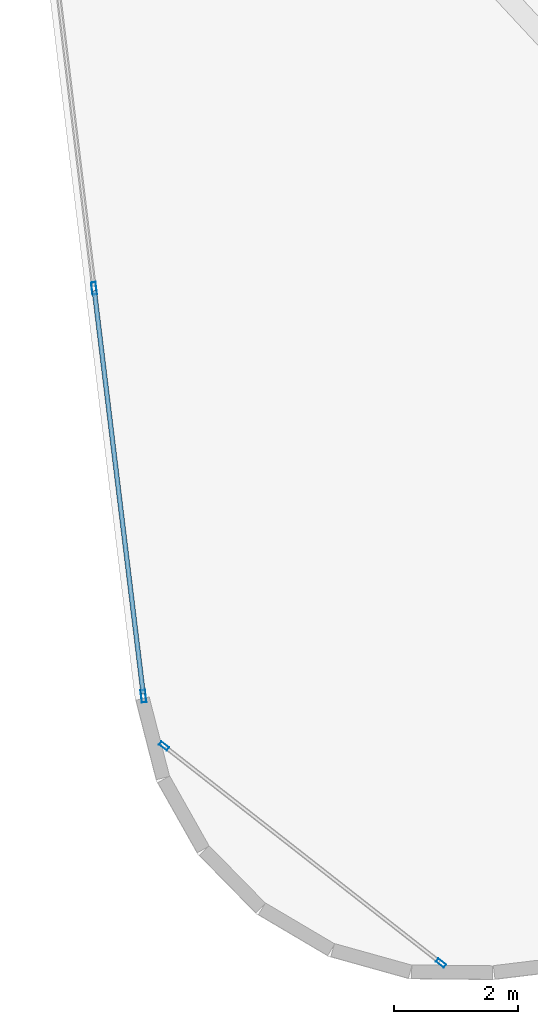
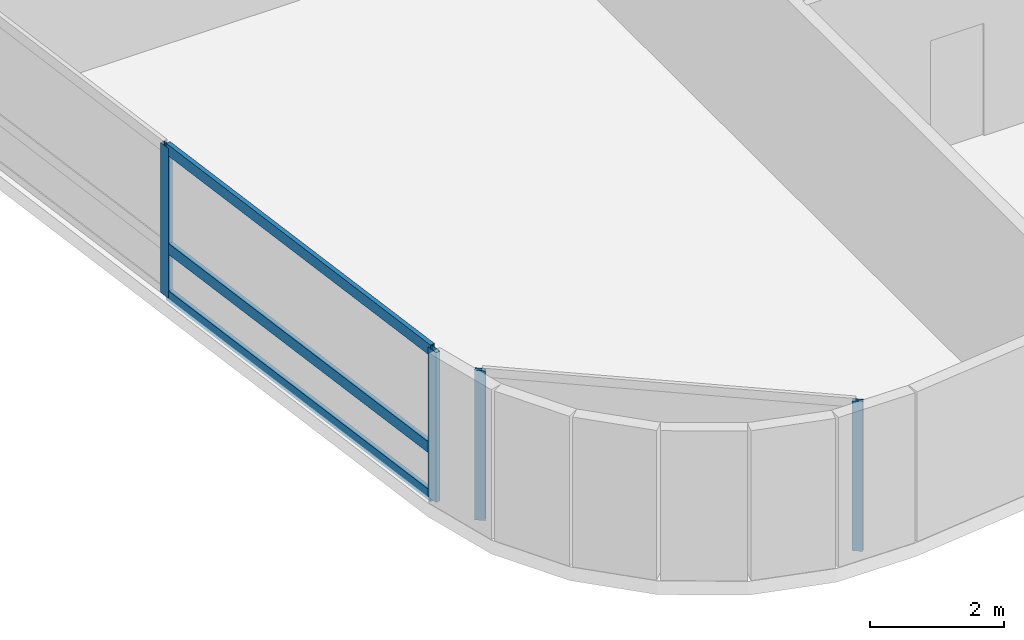
# One storey, part 2 of 24: 7 members, 2 elements without a shape of their own.
"""IFC4 building model written with IfcOpenShell, lengths in metres."""

from ifc_helpers import new_model, si_unit, direction, frame, origin, origin_2d, place, context, subcontext, project, spatial, hollow_rectangle, extrude, material, layer, layer_set, material_profile, profile_set, type_object, element, aggregate, save


model = new_model("IFC4")

# Units and contexts
model_context = context("Model", 3, precision=1e-05, world=origin(), true_north=direction((0.0, 1.0)))
body_context = subcontext(model_context, "Body", "Model", "MODEL_VIEW")
ifc_project = project(units=[si_unit("LENGTHUNIT", "METRE"), si_unit("AREAUNIT", "SQUARE_METRE"), si_unit("VOLUMEUNIT", "CUBIC_METRE"), si_unit("PLANEANGLEUNIT", "RADIAN"), si_unit("MASSUNIT", "GRAM", prefix="KILO")], contexts=[model_context])

# Site, building, storey
site_placement = place(None, origin())
site = spatial("IfcSite", under=ifc_project, at=site_placement, CompositionType="ELEMENT")
building_placement = place(site_placement, origin())
building = spatial("IfcBuilding", under=site, at=building_placement, Name="Varnelok Gate Tower", CompositionType="ELEMENT")
storey_placement = place(building_placement, frame((0.0, 0.0, 196.800048828125)))
storey = spatial("IfcBuildingStorey", under=building, at=storey_placement, Name="L50", CompositionType="ELEMENT", Elevation=196.800048828125)

# Curtain wall, members
ifc_material = material(Name="Anodized Aluminum Alloy 6063-T6", Category="aluminium")
ifc_layer_1 = layer(ifc_material, 0.179931640625)
ifc_layer_set_1 = layer_set([ifc_layer_1], Name="Anodized Aluminum Alloy 6063-T6")
curtain_wall_type_1 = type_object("IfcCurtainWallType", Name="CW5-WINDCORNER-GLAZ", PredefinedType="USERDEFINED", material=ifc_layer_set_1)
curtain_wall_1_placement = place(storey_placement, origin())
curtain_wall_1 = element("IfcCurtainWall", 1, at=curtain_wall_1_placement, inside=storey, type_object=curtain_wall_type_1, Name="L50 Wind-Shaped Corner Curtain Wall SW", ObjectType="STRUCTURAL GLAZING", PredefinedType="USERDEFINED")
ifc_material_profile_1 = material_profile(ifc_material, hollow_rectangle(XDim=0.06494140625, YDim=0.159912109375, WallThickness=0.00390625, at=origin_2d()), Name="ALU160X65X4")
ifc_profile_set_1 = profile_set([ifc_material_profile_1], Name="Anodized Aluminum Alloy 6063-T6")
member_type_1 = type_object("IfcMemberType", Name="CW-MULL-160", PredefinedType="MULLION", material=ifc_profile_set_1)
member_1_placement = place(storey_placement, frame((6.63330078125, 3.720947265625, 0.0), z_axis=(0.0, 0.0, 1.0), x_axis=(0.616862756615, 0.787070733481, 0.0)))
member_1 = element("IfcMember", 2, at=member_1_placement, type_object=member_type_1, Name="CW5 mullion 1", PredefinedType="MULLION", context=body_context, shape_type="SweptSolid", body=[
    extrude(hollow_rectangle(XDim=0.06494140625, YDim=0.159912109375, WallThickness=0.00390625, at=origin_2d()), origin(), (0.0, 0.0, 1.0), 2.72998046875),
])
member_2_placement = place(storey_placement, frame((11.1123046875, 0.21044921875, 0.0), z_axis=(0.0, 0.0, 1.0), x_axis=(0.616862756615, 0.787070733481, 0.0)))
member_2 = element("IfcMember", 3, at=member_2_placement, type_object=member_type_1, Name="CW5 mullion 2", PredefinedType="MULLION", context=body_context, shape_type="SweptSolid", body=[
    extrude(hollow_rectangle(XDim=0.06494140625, YDim=0.159912109375, WallThickness=0.00390625, at=origin_2d()), origin(), (0.0, 0.0, 1.0), 2.72998046875),
])
aggregate(curtain_wall_1, [member_1, member_2])

ifc_layer_2 = layer(ifc_material, 0.179931640625)
ifc_layer_set_2 = layer_set([ifc_layer_2], Name="Anodized Aluminum Alloy 6063-T6")
curtain_wall_type_2 = type_object("IfcCurtainWallType", Name="CW4-RESIDENCE-VISION", PredefinedType="USERDEFINED", material=ifc_layer_set_2)
curtain_wall_2_placement = place(storey_placement, origin())
curtain_wall_2 = element("IfcCurtainWall", 4, at=curtain_wall_2_placement, inside=storey, type_object=curtain_wall_type_2, Name="L50 West End Vision Curtain Wall", ObjectType="UNITISED CURTAIN WALL", PredefinedType="USERDEFINED")
ifc_material_profile_2 = material_profile(ifc_material, hollow_rectangle(XDim=0.074951171875, YDim=0.199951171875, WallThickness=0.00390625, at=origin_2d()), Name="ALU200X75X4")
ifc_profile_set_2 = profile_set([ifc_material_profile_2], Name="Anodized Aluminum Alloy 6063-T6")
member_type_2 = type_object("IfcMemberType", Name="CW-MULL-200", PredefinedType="MULLION", material=ifc_profile_set_2)
member_3_placement = place(storey_placement, frame((6.30078125, 4.52734375, 0.0), z_axis=(0.0, 0.0, 1.0), x_axis=(-0.992732188751, -0.120344511371, 0.0)))
member_3 = element("IfcMember", 5, at=member_3_placement, type_object=member_type_2, Name="CW4 mullion 1", PredefinedType="MULLION", context=body_context, shape_type="SweptSolid", body=[
    extrude(hollow_rectangle(XDim=0.074951171875, YDim=0.199951171875, WallThickness=0.00390625, at=origin_2d()), origin(), (0.0, 0.0, 1.0), 2.72998046875),
])
member_4_placement = place(storey_placement, frame((5.50146484375, 11.12158203125, 0.0), z_axis=(0.0, 0.0, 1.0), x_axis=(-0.992732188751, -0.120344511371, 0.0)))
member_4 = element("IfcMember", 6, at=member_4_placement, type_object=member_type_2, Name="CW4 mullion 2", PredefinedType="MULLION", context=body_context, shape_type="SweptSolid", body=[
    extrude(hollow_rectangle(XDim=0.074951171875, YDim=0.199951171875, WallThickness=0.00390625, at=origin_2d()), origin(), (0.0, 0.0, 1.0), 2.72998046875),
])
ifc_material_profile_3 = material_profile(ifc_material, hollow_rectangle(XDim=0.074951171875, YDim=0.199951171875, WallThickness=0.00390625, at=origin_2d()), Name="ALU200X75X4")
ifc_profile_set_3 = profile_set([ifc_material_profile_3], Name="Anodized Aluminum Alloy 6063-T6")
member_type_3 = type_object("IfcMemberType", Name="CW-TRAN-200", PredefinedType="USERDEFINED", material=ifc_profile_set_3)
member_5_placement = place(storey_placement, frame((6.29638671875, 4.564453125, 0.037353515625), z_axis=(-0.120369113246, 0.992729206066, 0.0), x_axis=(-0.992729206066, -0.120369113246, 0.0)))
member_5 = element("IfcMember", 7, at=member_5_placement, type_object=member_type_3, Name="CW4 transom 1.1", ObjectType="TRANSOM", PredefinedType="USERDEFINED", context=body_context, shape_type="SweptSolid", body=[
    extrude(hollow_rectangle(XDim=0.074951171875, YDim=0.199951171875, WallThickness=0.00390625, at=origin_2d()), origin(), (0.0, 0.0, 1.0), 6.567626953125),
])
member_6_placement = place(storey_placement, frame((6.29638671875, 4.564453125, 0.89990234375), z_axis=(-0.120369113246, 0.992729206066, 0.0), x_axis=(-0.992729206066, -0.120369113246, 0.0)))
member_6 = element("IfcMember", 8, at=member_6_placement, type_object=member_type_3, Name="CW4 transom 1.2", ObjectType="TRANSOM", PredefinedType="USERDEFINED", context=body_context, shape_type="SweptSolid", body=[
    extrude(hollow_rectangle(XDim=0.074951171875, YDim=0.199951171875, WallThickness=0.00390625, at=origin_2d()), origin(), (0.0, 0.0, 1.0), 6.567626953125),
])
member_7_placement = place(storey_placement, frame((6.29638671875, 4.564453125, 2.6923828125), z_axis=(-0.120369113246, 0.992729206066, 0.0), x_axis=(-0.992729206066, -0.120369113246, 0.0)))
member_7 = element("IfcMember", 9, at=member_7_placement, type_object=member_type_3, Name="CW4 transom 1.3", ObjectType="TRANSOM", PredefinedType="USERDEFINED", context=body_context, shape_type="SweptSolid", body=[
    extrude(hollow_rectangle(XDim=0.074951171875, YDim=0.199951171875, WallThickness=0.00390625, at=origin_2d()), origin(), (0.0, 0.0, 1.0), 6.567626953125),
])
aggregate(curtain_wall_2, [member_3, member_4, member_5, member_6, member_7])

save(model, "model.ifc")
